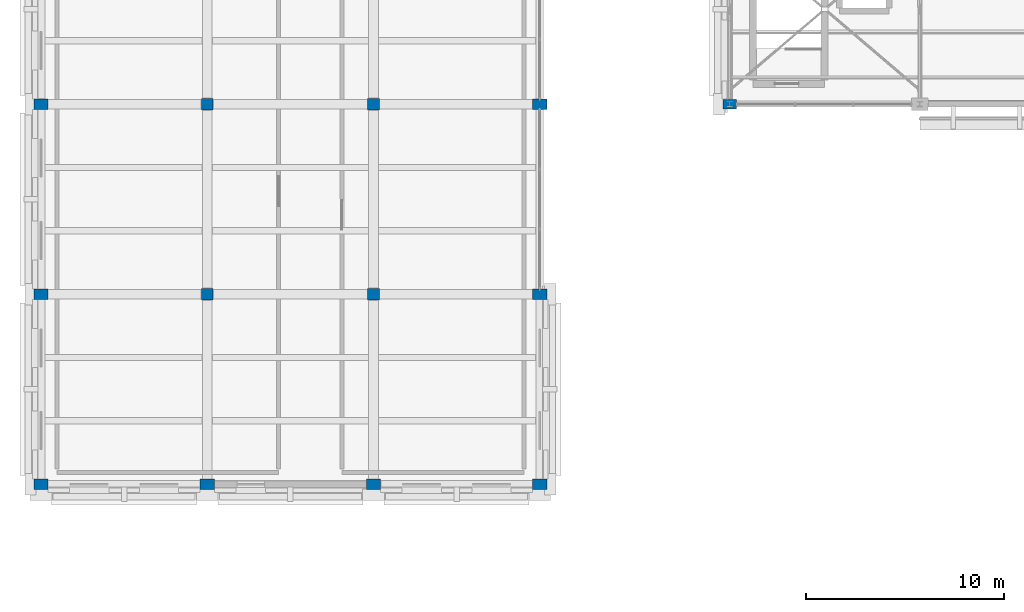
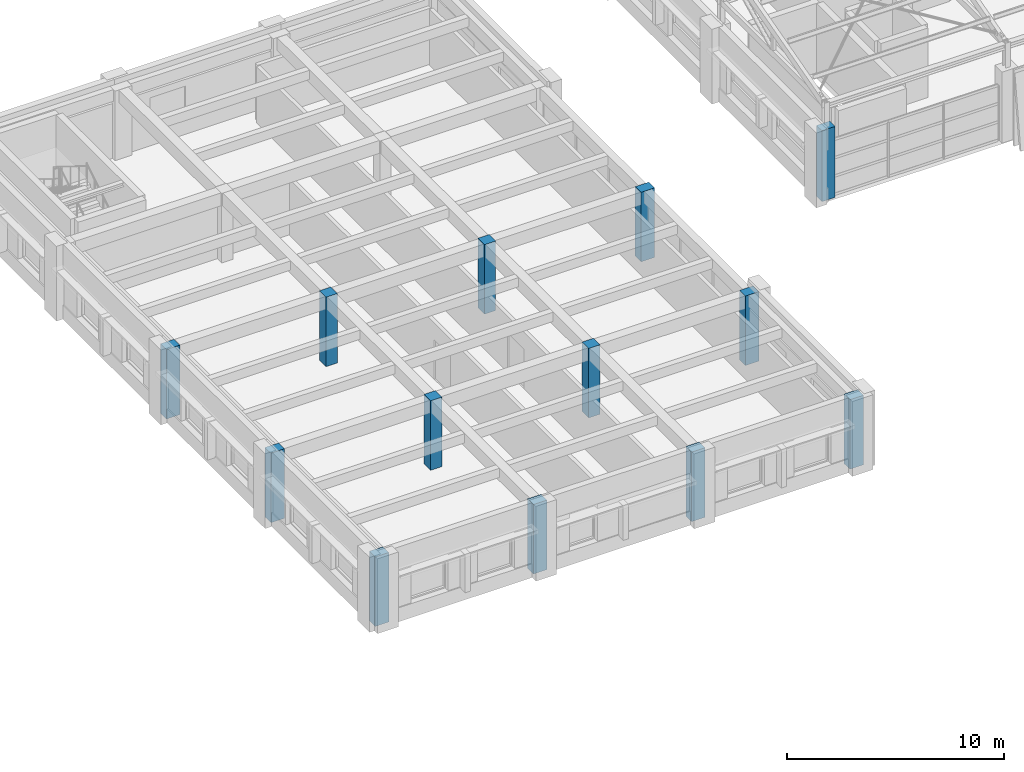
# One storey, part 1 of 58: 13 columns.
"""IFC4 building model written with IfcOpenShell, lengths in metres."""

from ifc_helpers import new_model, si_unit, direction, frame, origin, origin_2d, place, context, subcontext, project, spatial, rectangle, extrude, material, material_profile, profile_set, type_object, element, save


model = new_model("IFC4")

# Units and contexts
model_context = context("Model", 3, precision=1e-05, world=origin(), true_north=direction((0.0, 1.0)))
body_context = subcontext(model_context, "Body", "Model", "MODEL_VIEW")
ifc_project = project(units=[si_unit("LENGTHUNIT", "METRE"), si_unit("AREAUNIT", "SQUARE_METRE"), si_unit("VOLUMEUNIT", "CUBIC_METRE"), si_unit("PLANEANGLEUNIT", "RADIAN"), si_unit("MASSUNIT", "GRAM", prefix="KILO")], contexts=[model_context])

# Site, building, storey
site_placement = place(None, origin())
site = spatial("IfcSite", under=ifc_project, at=site_placement, CompositionType="ELEMENT")
building_placement = place(site_placement, origin())
building = spatial("IfcBuilding", under=site, at=building_placement, Name="Bempovik Park Faculty of Sciences", CompositionType="ELEMENT")
storey_placement = place(building_placement, frame((0.0, 0.0, 18.300048828125)))
storey = spatial("IfcBuildingStorey", under=building, at=storey_placement, Name="L04", CompositionType="ELEMENT", Elevation=18.300048828125)

# Columns
ifc_material = material(Name="Concrete C40/50", Category="concrete")
ifc_material_profile_1 = material_profile(ifc_material, rectangle(XDim=0.719970703125, YDim=0.5400390625, at=origin_2d()), Name="RC 720x540")
ifc_profile_set_1 = profile_set([ifc_material_profile_1], Name="Concrete C40/50")
column_type_1 = type_object("IfcColumnType", Name="C-18 RC 720x540", PredefinedType="COLUMN", material=ifc_profile_set_1)
for number, where, z_axis, x_axis, name in (
    (1, (15.60009765625, 48.60009765625, 0.0), (0.0, 0.0, 1.0), (1.0, 0.0, 0.0), "L04 Structural Column (15.6,48.6)"),
    (2, (15.60009765625, 58.199951171875, 0.0), (0.0, 0.0, 1.0), (1.0, 0.0, 0.0), "L04 Structural Column (15.6,58.2)"),
    (3, (15.60009765625, 67.800048828125, 0.0), (0.0, 0.0, 1.0), (1.0, 0.0, 0.0), "L04 Structural Column (15.6,67.8)"),
    (4, (24.0, 48.60009765625, 0.0), (0.0, 0.0, 1.0), (1.0, 0.0, 0.0), "L04 Structural Column (24.0,48.6)"),
    (5, (32.39990234375, 48.60009765625, 0.0), (0.0, 0.0, 1.0), (1.0, 0.0, 0.0), "L04 Structural Column (32.4,48.6)"),
    (6, (40.800048828125, 48.60009765625, 0.0), (0.0, 0.0, 1.0), (1.0, 0.0, 0.0), "L04 Structural Column (40.8,48.6)"),
    (7, (40.800048828125, 58.199951171875, 0.0), (0.0, 0.0, 1.0), (1.0, 0.0, 0.0), "L04 Structural Column (40.8,58.2)"),
    (8, (40.800048828125, 67.800048828125, 0.0), (0.0, 0.0, 1.0), (1.0, 0.0, 0.0), "L04 Structural Column (40.8,67.8)"),
):
    element("IfcColumn", number, at=place(storey_placement, frame(where, z_axis=z_axis, x_axis=x_axis)), inside=storey, type_object=column_type_1, Name=name, PredefinedType="COLUMN", context=body_context, shape_type="SweptSolid", body=[
        extrude(rectangle(XDim=0.719970703125, YDim=0.5400390625, at=origin_2d()), origin(), (0.0, 0.0, 1.0), 3.89990234375),
    ])
ifc_material_profile_2 = material_profile(ifc_material, rectangle(XDim=0.60009765625, YDim=0.60009765625, at=origin_2d()), Name="RC 600x600")
ifc_profile_set_2 = profile_set([ifc_material_profile_2], Name="Concrete C40/50")
column_type_2 = type_object("IfcColumnType", Name="C-21 RC 600x600", PredefinedType="COLUMN", material=ifc_profile_set_2)
for number, where, z_axis, x_axis, name in (
    (9, (24.0, 58.199951171875, 0.0), (0.0, 0.0, 1.0), (1.0, 0.0, 0.0), "L04 Structural Column (24.0,58.2)"),
    (10, (24.0, 67.800048828125, 0.0), (0.0, 0.0, 1.0), (1.0, 0.0, 0.0), "L04 Structural Column (24.0,67.8)"),
    (11, (32.39990234375, 58.199951171875, 0.0), (0.0, 0.0, 1.0), (1.0, 0.0, 0.0), "L04 Structural Column (32.4,58.2)"),
    (12, (32.39990234375, 67.800048828125, 0.0), (0.0, 0.0, 1.0), (1.0, 0.0, 0.0), "L04 Structural Column (32.4,67.8)"),
):
    element("IfcColumn", number, at=place(storey_placement, frame(where, z_axis=z_axis, x_axis=x_axis)), inside=storey, type_object=column_type_2, Name=name, PredefinedType="COLUMN", context=body_context, shape_type="SweptSolid", body=[
        extrude(rectangle(XDim=0.60009765625, YDim=0.60009765625, at=origin_2d()), origin(), (0.0, 0.0, 1.0), 3.89990234375),
    ])
ifc_material_profile_3 = material_profile(ifc_material, rectangle(XDim=0.699951171875, YDim=0.5, at=origin_2d()), Name="RC 700x500")
ifc_profile_set_3 = profile_set([ifc_material_profile_3], Name="Concrete C40/50")
column_type_3 = type_object("IfcColumnType", Name="C-75 RC 700x500", PredefinedType="COLUMN", material=ifc_profile_set_3)
column_placement = place(storey_placement, frame((50.39990234375, 67.800048828125, 0.0), z_axis=(0.0, 0.0, 1.0), x_axis=(1.0, 0.0, 0.0)))
element("IfcColumn", 13, at=column_placement, inside=storey, type_object=column_type_3, Name="L04 Structural Column (50.4,67.8)", PredefinedType="COLUMN", context=body_context, shape_type="SweptSolid", body=[
    extrude(rectangle(XDim=0.699951171875, YDim=0.5, at=origin_2d()), origin(), (0.0, 0.0, 1.0), 3.97998046875),
])

save(model, "model.ifc")
